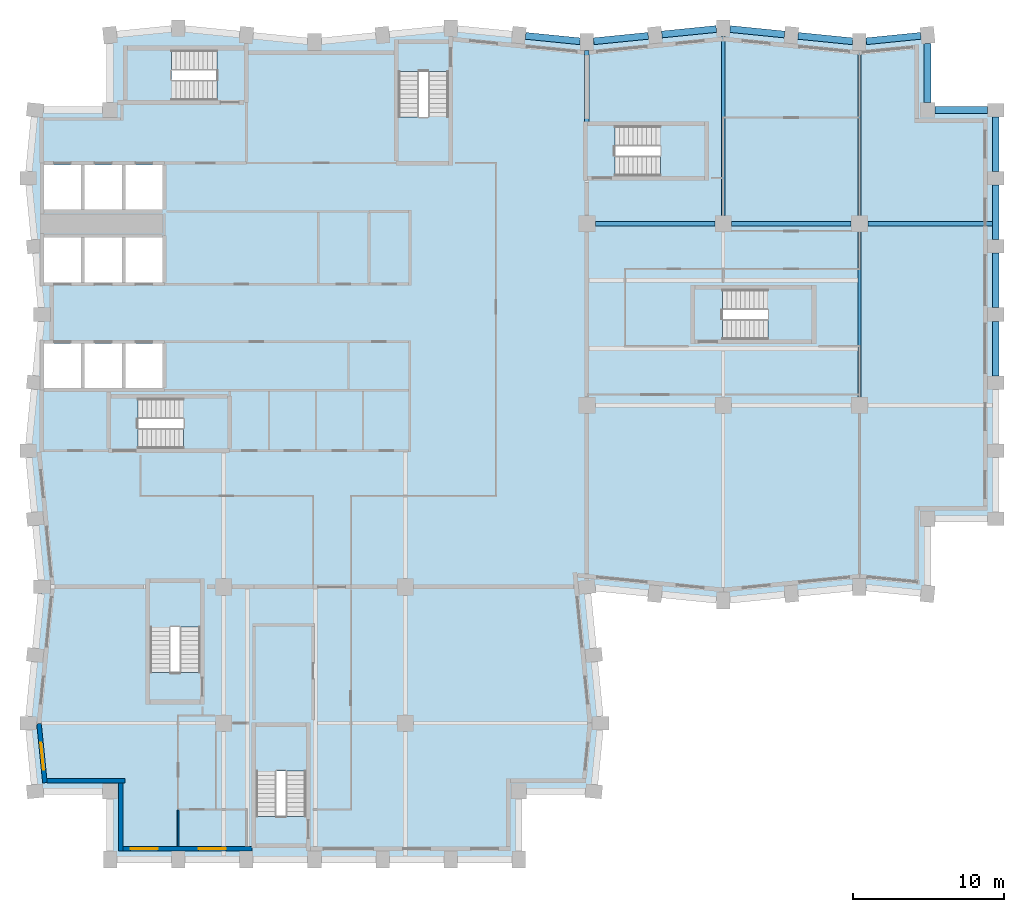
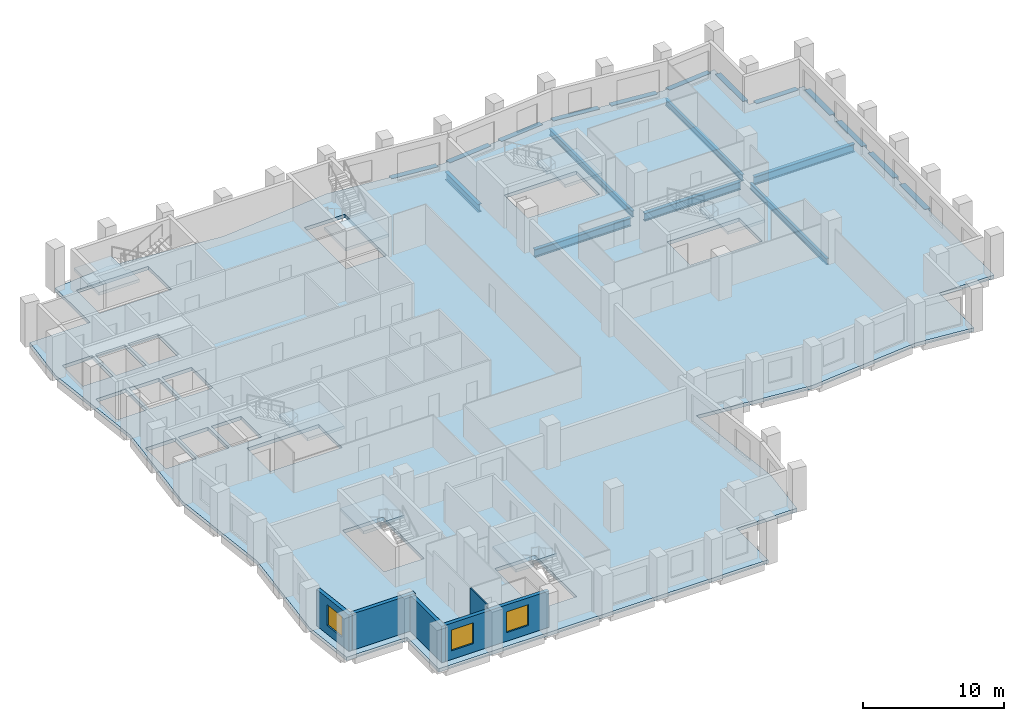
# One storey, part 2 of 10: 19 beams, 8 slabs, 5 walls, 3 windows, 3 openings, 7 elements without a shape of their own.
"""IFC4 building model written with IfcOpenShell, lengths in metres."""

from ifc_helpers import new_model, si_unit, direction, frame, frame_2d, origin, origin_2d, place, context, subcontext, project, spatial, polyline, rectangle, i_section, outline, extrude, material, layer, layer_set, material_profile, profile_set, type_object, element, fill, aggregate, save


model = new_model("IFC4")

# Units and contexts
model_context = context("Model", 3, precision=1e-05, world=origin(), true_north=direction((0.0, 1.0)))
body_context = subcontext(model_context, "Body", "Model", "MODEL_VIEW")
ifc_project = project(units=[si_unit("LENGTHUNIT", "METRE"), si_unit("AREAUNIT", "SQUARE_METRE"), si_unit("VOLUMEUNIT", "CUBIC_METRE"), si_unit("PLANEANGLEUNIT", "RADIAN"), si_unit("MASSUNIT", "GRAM", prefix="KILO")], contexts=[model_context])

# Site, building, storey
site_placement = place(None, origin())
site = spatial("IfcSite", under=ifc_project, at=site_placement, CompositionType="ELEMENT")
building_placement = place(site_placement, origin())
building = spatial("IfcBuilding", under=site, at=building_placement, Name="Brondeck Convention Tower", CompositionType="ELEMENT")
storey_placement = place(building_placement, frame((0.0, 0.0, 177.60009765625)))
storey = spatial("IfcBuildingStorey", under=building, at=storey_placement, Name="L43", CompositionType="ELEMENT", Elevation=177.60009765625)

# Beams
ifc_material_1 = material(Name="Steel S355", Category="steel")
ifc_material_profile_1 = material_profile(ifc_material_1, i_section(OverallWidth=0.2099609375, OverallDepth=0.550048828125, WebThickness=0.010986328125, FlangeThickness=0.01708984375, FilletRadius=0.02392578125, at=origin_2d()), Name="IPE 550")
ifc_profile_set_1 = profile_set([ifc_material_profile_1], Name="Steel S355")
beam_type_1 = type_object("IfcBeamType", Name="Floor beam IPE 550", PredefinedType="BEAM", material=ifc_profile_set_1)
beam_1_placement = place(storey_placement, frame((45.0, 51.550048828125, -0.5751953125), z_axis=(0.0, 1.0, 0.0), x_axis=(-1.0, 0.0, 0.0)))
element("IfcBeam", 1, at=beam_1_placement, inside=storey, type_object=beam_type_1, Name="STR-FB-L43-002", PredefinedType="BEAM", context=body_context, shape_type="SweptSolid", body=[
    extrude(i_section(OverallWidth=0.2099609375, OverallDepth=0.550048828125, WebThickness=0.010986328125, FlangeThickness=0.01708984375, FilletRadius=0.02392578125, at=origin_2d()), origin(), (0.0, 0.0, 1.0), 11.800048828125),
])
for number, where, z_axis, x_axis, name in (
    (2, (54.0, 39.550048828125, -0.5751953125), (0.0, 1.0, 0.0), (-1.0, 0.0, 0.0), "STR-FB-L43-004"),
    (3, (54.0, 51.550048828125, -0.5751953125), (0.0, 1.0, 0.0), (-1.0, 0.0, 0.0), "STR-FB-L43-005"),
):
    element("IfcBeam", number, at=place(storey_placement, frame(where, z_axis=z_axis, x_axis=x_axis)), inside=storey, type_object=beam_type_1, Name=name, PredefinedType="BEAM", context=body_context, shape_type="SweptSolid", body=[
        extrude(i_section(OverallWidth=0.2099609375, OverallDepth=0.550048828125, WebThickness=0.010986328125, FlangeThickness=0.01708984375, FilletRadius=0.02392578125, at=origin_2d()), origin(), (0.0, 0.0, 1.0), 10.89990234375),
    ])
ifc_material_profile_2 = material_profile(ifc_material_1, i_section(OverallWidth=0.300048828125, OverallDepth=0.699951171875, WebThickness=0.01708984375, FlangeThickness=0.031982421875, FilletRadius=0.027099609375, at=origin_2d()), Name="HEB 700")
ifc_profile_set_2 = profile_set([ifc_material_profile_2], Name="Steel S355")
beam_type_2 = type_object("IfcBeamType", Name="Girder HEB 700", PredefinedType="BEAM", material=ifc_profile_set_2)
for number, where, z_axis, x_axis, name in (
    (4, (36.550048828125, 51.0, -0.650146484375), (1.0, 0.0, 0.0), (0.0, 1.0, 0.0), "STR-GR-L43-004"),
    (5, (45.550048828125, 51.0, -0.650146484375), (1.0, 0.0, 0.0), (0.0, 1.0, 0.0), "STR-GR-L43-005"),
):
    element("IfcBeam", number, at=place(storey_placement, frame(where, z_axis=z_axis, x_axis=x_axis)), inside=storey, type_object=beam_type_2, Name=name, PredefinedType="BEAM", context=body_context, shape_type="SweptSolid", body=[
        extrude(i_section(OverallWidth=0.300048828125, OverallDepth=0.699951171875, WebThickness=0.01708984375, FlangeThickness=0.031982421875, FilletRadius=0.027099609375, at=origin_2d()), origin(), (0.0, 0.0, 1.0), 7.89990234375),
    ])
beam_2_placement = place(storey_placement, frame((54.550048828125, 51.0, -0.650146484375), z_axis=(1.0, 0.0, 0.0), x_axis=(0.0, 1.0, 0.0)))
element("IfcBeam", 6, at=beam_2_placement, inside=storey, type_object=beam_type_2, Name="STR-GR-L43-006", PredefinedType="BEAM", context=body_context, shape_type="SweptSolid", body=[
    extrude(i_section(OverallWidth=0.300048828125, OverallDepth=0.699951171875, WebThickness=0.01708984375, FlangeThickness=0.031982421875, FilletRadius=0.027099609375, at=origin_2d()), origin(), (0.0, 0.0, 1.0), 8.224853515625),
])
beam_3_placement = place(storey_placement, frame((36.0, 57.719970703125, -0.650146484375), z_axis=(0.0, 1.0, 0.0), x_axis=(-1.0, 0.0, 0.0)))
element("IfcBeam", 7, at=beam_3_placement, inside=storey, type_object=beam_type_2, Name="STR-GR-L43-010", PredefinedType="BEAM", context=body_context, shape_type="SweptSolid", body=[
    extrude(i_section(OverallWidth=0.300048828125, OverallDepth=0.699951171875, WebThickness=0.01708984375, FlangeThickness=0.031982421875, FilletRadius=0.027099609375, at=origin_2d()), origin(), (0.0, 0.0, 1.0), 4.72998046875),
])
ifc_material_2 = material(Name="Concrete C70/85", Category="concrete")
ifc_material_profile_3 = material_profile(ifc_material_2, rectangle(XDim=0.449951171875, YDim=0.64990234375, at=origin_2d()), Name="Precast spandrel 450x650 Concrete C70/85")
ifc_profile_set_3 = profile_set([ifc_material_profile_3], Name="Concrete C70/85")
beam_type_3 = type_object("IfcBeamType", Name="Precast spandrel 450x650 Concrete C70/85", PredefinedType="SPANDREL", material=ifc_profile_set_3)
for number, where, z_axis, x_axis, name in (
    (8, (63.0, 40.949951171875, -0.3251953125), (0.0, 1.0, 0.0), (-1.0, 0.0, 0.0), "STR-SP-L43-021"),
    (9, (63.0, 45.449951171875, -0.3251953125), (0.0, 1.0, 0.0), (-1.0, 0.0, 0.0), "STR-SP-L43-022"),
    (10, (63.0, 49.949951171875, -0.3251953125), (0.0, 1.0, 0.0), (-1.0, 0.0, 0.0), "STR-SP-L43-023"),
    (11, (63.0, 54.449951171875, -0.3251953125), (0.0, 1.0, 0.0), (-1.0, 0.0, 0.0), "STR-SP-L43-024"),
):
    element("IfcBeam", number, at=place(storey_placement, frame(where, z_axis=z_axis, x_axis=x_axis)), inside=storey, type_object=beam_type_3, Name=name, PredefinedType="SPANDREL", context=body_context, shape_type="SweptSolid", body=[
        extrude(rectangle(XDim=0.449951171875, YDim=0.64990234375, at=origin_2d()), origin(), (0.0, 0.0, 1.0), 3.60009765625),
    ])
beam_4_placement = place(storey_placement, frame((62.449951171875, 58.5, -0.3251953125), z_axis=(-1.0, 0.0, 0.0), x_axis=(0.0, -1.0, 0.0)))
element("IfcBeam", 12, at=beam_4_placement, inside=storey, type_object=beam_type_3, Name="STR-SP-L43-025", PredefinedType="SPANDREL", context=body_context, shape_type="SweptSolid", body=[
    extrude(rectangle(XDim=0.449951171875, YDim=0.64990234375, at=origin_2d()), origin(), (0.0, 0.0, 1.0), 3.449951171875),
])
beam_5_placement = place(storey_placement, frame((58.5, 59.0, -0.3251953125), z_axis=(0.0, 1.0, 0.0), x_axis=(-1.0, 0.0, 0.0)))
element("IfcBeam", 13, at=beam_5_placement, inside=storey, type_object=beam_type_3, Name="STR-SP-L43-026", PredefinedType="SPANDREL", context=body_context, shape_type="SweptSolid", body=[
    extrude(rectangle(XDim=0.449951171875, YDim=0.64990234375, at=origin_2d()), origin(), (0.0, 0.0, 1.0), 3.897216796875),
])
for number, where, z_axis, x_axis, name in (
    (14, (58.05224609375, 63.4052734375, -0.3251953125), (-0.995033851182, -0.099537103649, 0.0), (0.099537103649, -0.995033851182, 0.0), "STR-SP-L43-027"),
    (15, (53.550048828125, 63.044921875, -0.3251953125), (-0.995033851182, 0.099537103649, 0.0), (-0.099537103649, -0.995033851182, 0.0), "STR-SP-L43-028"),
    (16, (49.05224609375, 63.494873046875, -0.3251953125), (-0.995040528141, 0.099470334057, 0.0), (-0.099470334057, -0.995040528141, 0.0), "STR-SP-L43-029"),
    (17, (44.550048828125, 63.85498046875, -0.3251953125), (-0.995040528141, -0.099470334057, 0.0), (0.099470334057, -0.995040528141, 0.0), "STR-SP-L43-030"),
    (18, (40.05224609375, 63.4052734375, -0.3251953125), (-0.995033851182, -0.099537103649, 0.0), (0.099537103649, -0.995033851182, 0.0), "STR-SP-L43-031"),
    (19, (35.550048828125, 63.044921875, -0.3251953125), (-0.995033851182, 0.099537103649, 0.0), (-0.099537103649, -0.995033851182, 0.0), "STR-SP-L43-032"),
):
    element("IfcBeam", number, at=place(storey_placement, frame(where, z_axis=z_axis, x_axis=x_axis)), inside=storey, type_object=beam_type_3, Name=name, PredefinedType="SPANDREL", context=body_context, shape_type="SweptSolid", body=[
        extrude(rectangle(XDim=0.449951171875, YDim=0.64990234375, at=origin_2d()), origin(), (0.0, 0.0, 1.0), 3.620361328125),
    ])

# Slab
ifc_material_3 = material(Name="Concrete C35/45", Category="concrete")
ifc_layer_1 = layer(ifc_material_3, 0.300048828125)
ifc_layer_set_1 = layer_set([ifc_layer_1], Name="Composite floor slab 300")
slab_type_1 = type_object("IfcSlabType", Name="Composite floor slab 300", PredefinedType="FLOOR", material=ifc_layer_set_1)
slab_1_placement = place(storey_placement, frame((0.0, 0.0, -0.300048828125)))
element("IfcSlab", 20, at=slab_1_placement, inside=storey, type_object=slab_type_1, Name="STR-SL-L43", PredefinedType="FLOOR", context=body_context, shape_type="SweptSolid", body=[
    extrude(outline(polyline([(4.5, 13.5), (-0.449951171875, 13.5), (-0.89990234375, 18.0), (0.0, 27.0), (-0.89990234375, 36.0), (0.0, 45.0), (-0.89990234375, 54.0), (-0.449951171875, 58.5), (4.5, 58.5), (4.5, 63.449951171875), (9.0, 63.89990234375), (18.0, 63.0), (27.0, 63.89990234375), (36.0, 63.0), (45.0, 63.89990234375), (54.0, 63.0), (58.5, 63.449951171875), (58.5, 58.5), (63.0, 58.5), (63.0, 31.5), (58.5, 31.5), (58.5, 26.550048828125), (54.0, 27.0), (45.0, 26.10009765625), (36.0, 27.0), (36.89990234375, 18.0), (36.449951171875, 13.5), (31.5, 13.5), (31.5, 9.0), (4.5, 9.0), (4.5, 13.5)]), holes=[polyline([(2.574951171875, 40.125), (2.574951171875, 43.074951171875), (0.125, 43.074951171875), (0.125, 40.125), (2.574951171875, 40.125)]), polyline([(5.27490234375, 40.125), (5.27490234375, 43.074951171875), (2.824951171875, 43.074951171875), (2.824951171875, 40.125), (5.27490234375, 40.125)]), polyline([(7.97509765625, 40.125), (7.97509765625, 43.074951171875), (5.52490234375, 43.074951171875), (5.52490234375, 40.125), (7.97509765625, 40.125)]), polyline([(2.574951171875, 47.125), (2.574951171875, 50.074951171875), (0.125, 50.074951171875), (0.125, 47.125), (2.574951171875, 47.125)]), polyline([(5.27490234375, 47.125), (5.27490234375, 50.074951171875), (2.824951171875, 50.074951171875), (2.824951171875, 47.125), (5.27490234375, 47.125)]), polyline([(7.97509765625, 47.125), (7.97509765625, 50.074951171875), (5.52490234375, 50.074951171875), (5.52490234375, 47.125), (7.97509765625, 47.125)]), polyline([(2.574951171875, 51.925048828125), (2.574951171875, 54.875), (0.125, 54.875), (0.125, 51.925048828125), (2.574951171875, 51.925048828125)]), polyline([(5.27490234375, 51.925048828125), (5.27490234375, 54.875), (2.824951171875, 54.875), (2.824951171875, 51.925048828125), (5.27490234375, 51.925048828125)]), polyline([(17.447998046875, 17.748046875), (14.152099609375, 17.748046875), (14.152099609375, 11.85205078125), (17.447998046875, 11.85205078125), (17.447998046875, 17.748046875)]), polyline([(10.447998046875, 27.248046875), (7.152099609375, 27.248046875), (7.152099609375, 21.35205078125), (10.447998046875, 21.35205078125), (10.447998046875, 27.248046875)]), polyline([(12.248046875, 36.152099609375), (12.248046875, 39.447998046875), (6.35205078125, 39.447998046875), (6.35205078125, 36.152099609375), (12.248046875, 36.152099609375)]), polyline([(50.847900390625, 43.35205078125), (50.847900390625, 46.64794921875), (44.951904296875, 46.64794921875), (44.951904296875, 43.35205078125), (50.847900390625, 43.35205078125)]), polyline([(7.97509765625, 51.925048828125), (7.97509765625, 54.875), (5.52490234375, 54.875), (5.52490234375, 51.925048828125), (7.97509765625, 51.925048828125)]), polyline([(43.748046875, 54.152099609375), (43.748046875, 57.447998046875), (37.85205078125, 57.447998046875), (37.85205078125, 54.152099609375), (43.748046875, 54.152099609375)]), polyline([(23.552001953125, 55.152099609375), (26.847900390625, 55.152099609375), (26.847900390625, 61.048095703125), (23.552001953125, 61.048095703125), (23.552001953125, 55.152099609375)]), polyline([(5.652099609375, 62.447998046875), (5.652099609375, 59.152099609375), (11.548095703125, 59.152099609375), (11.548095703125, 62.447998046875), (5.652099609375, 62.447998046875)])]), origin(), (0.0, 0.0, 1.0), 0.300048828125),
])

# Stair, slab
ifc_material_4 = material(Name="Precast concrete C50/60", Category="concrete")
stair_type = type_object("IfcStairType", Name="Core stair 22 risers 172.73 mm riser 300 mm going 1350 wide", PredefinedType="HALF_TURN_STAIR", material=ifc_material_4)
stair_1_placement = place(storey_placement, origin())
stair_1 = element("IfcStair", 21, at=stair_1_placement, inside=storey, type_object=stair_type, Name="ST-1 L43 stair", PredefinedType="HALF_TURN_STAIR")
ifc_layer_2 = layer(ifc_material_4, 0.25)
ifc_layer_set_2 = layer_set([ifc_layer_2], Name="Core stair landing 250 Precast concrete C50/60")
slab_type_2 = type_object("IfcSlabType", Name="Core stair landing 250 Precast concrete C50/60", PredefinedType="LANDING", material=ifc_layer_set_2)
slab_2_placement = place(storey_placement, frame((0.0, 0.0, 1.64990234375)))
slab_2 = element("IfcSlab", 22, at=slab_2_placement, type_object=slab_type_2, Name="ST-1 landing 1", PredefinedType="LANDING", context=body_context, shape_type="SweptSolid", body=[
    extrude(outline(polyline([(9.347900390625, 37.5), (9.35009765625, 37.5), (9.35009765625, 38.10009765625), (9.050048828125, 38.10009765625), (9.050048828125, 39.570068359375), (12.3701171875, 39.570068359375), (12.3701171875, 36.030029296875), (9.347900390625, 36.030029296875), (9.347900390625, 37.5)])), origin(), (0.0, 0.0, 1.0), 0.25),
])
aggregate(stair_1, [slab_2])

stair_2_placement = place(storey_placement, origin())
stair_2 = element("IfcStair", 23, at=stair_2_placement, inside=storey, type_object=stair_type, Name="ST-2 L43 stair", PredefinedType="HALF_TURN_STAIR")
slab_3_placement = place(storey_placement, frame((0.0, 0.0, 1.64990234375)))
slab_3 = element("IfcSlab", 24, at=slab_3_placement, type_object=slab_type_2, Name="ST-2 landing 1", PredefinedType="LANDING", context=body_context, shape_type="SweptSolid", body=[
    extrude(outline(polyline([(23.429931640625, 58.052001953125), (24.89990234375, 58.052001953125), (24.89990234375, 58.050048828125), (25.5, 58.050048828125), (25.5, 58.35009765625), (26.969970703125, 58.35009765625), (26.969970703125, 55.030029296875), (23.429931640625, 55.030029296875), (23.429931640625, 58.052001953125)])), origin(), (0.0, 0.0, 1.0), 0.25),
])
aggregate(stair_2, [slab_3])

stair_3_placement = place(storey_placement, origin())
stair_3 = element("IfcStair", 25, at=stair_3_placement, inside=storey, type_object=stair_type, Name="ST-3 L43 stair", PredefinedType="HALF_TURN_STAIR")
slab_4_placement = place(storey_placement, frame((0.0, 0.0, 1.64990234375)))
slab_4 = element("IfcSlab", 26, at=slab_4_placement, type_object=slab_type_2, Name="ST-3 landing 1", PredefinedType="LANDING", context=body_context, shape_type="SweptSolid", body=[
    extrude(outline(polyline([(8.85009765625, 60.5), (8.85009765625, 59.030029296875), (5.530029296875, 59.030029296875), (5.530029296875, 62.570068359375), (8.552001953125, 62.570068359375), (8.552001953125, 61.10009765625), (8.550048828125, 61.10009765625), (8.550048828125, 60.5), (8.85009765625, 60.5)])), origin(), (0.0, 0.0, 1.0), 0.25),
])
aggregate(stair_3, [slab_4])

stair_4_placement = place(storey_placement, origin())
stair_4 = element("IfcStair", 27, at=stair_4_placement, inside=storey, type_object=stair_type, Name="ST-AE L43 stair", PredefinedType="HALF_TURN_STAIR")
slab_5_placement = place(storey_placement, frame((0.0, 0.0, 1.64990234375)))
slab_5 = element("IfcSlab", 28, at=slab_5_placement, type_object=slab_type_2, Name="ST-AE landing 1", PredefinedType="LANDING", context=body_context, shape_type="SweptSolid", body=[
    extrude(outline(polyline([(40.847900390625, 55.5), (40.85009765625, 55.5), (40.85009765625, 56.10009765625), (40.550048828125, 56.10009765625), (40.550048828125, 57.570068359375), (43.8701171875, 57.570068359375), (43.8701171875, 54.030029296875), (40.847900390625, 54.030029296875), (40.847900390625, 55.5)])), origin(), (0.0, 0.0, 1.0), 0.25),
])
aggregate(stair_4, [slab_5])

stair_5_placement = place(storey_placement, origin())
stair_5 = element("IfcStair", 29, at=stair_5_placement, inside=storey, type_object=stair_type, Name="ST-BE L43 stair", PredefinedType="HALF_TURN_STAIR")
slab_6_placement = place(storey_placement, frame((0.0, 0.0, 1.64990234375)))
slab_6 = element("IfcSlab", 30, at=slab_6_placement, type_object=slab_type_2, Name="ST-BE landing 1", PredefinedType="LANDING", context=body_context, shape_type="SweptSolid", body=[
    extrude(outline(polyline([(7.030029296875, 24.050048828125), (7.030029296875, 27.3701171875), (10.570068359375, 27.3701171875), (10.570068359375, 24.347900390625), (9.10009765625, 24.347900390625), (9.10009765625, 24.35009765625), (8.5, 24.35009765625), (8.5, 24.050048828125), (7.030029296875, 24.050048828125)])), origin(), (0.0, 0.0, 1.0), 0.25),
])
aggregate(stair_5, [slab_6])

stair_6_placement = place(storey_placement, origin())
stair_6 = element("IfcStair", 31, at=stair_6_placement, inside=storey, type_object=stair_type, Name="ST-AF L43 stair", PredefinedType="HALF_TURN_STAIR")
slab_7_placement = place(storey_placement, frame((0.0, 0.0, 1.64990234375)))
slab_7 = element("IfcSlab", 32, at=slab_7_placement, type_object=slab_type_2, Name="ST-AF landing 1", PredefinedType="LANDING", context=body_context, shape_type="SweptSolid", body=[
    extrude(outline(polyline([(47.947998046875, 44.699951171875), (47.949951171875, 44.699951171875), (47.949951171875, 45.300048828125), (47.64990234375, 45.300048828125), (47.64990234375, 46.77001953125), (50.969970703125, 46.77001953125), (50.969970703125, 43.22998046875), (47.947998046875, 43.22998046875), (47.947998046875, 44.699951171875)])), origin(), (0.0, 0.0, 1.0), 0.25),
])
aggregate(stair_6, [slab_7])

stair_7_placement = place(storey_placement, origin())
stair_7 = element("IfcStair", 33, at=stair_7_placement, inside=storey, type_object=stair_type, Name="ST-BF L43 stair", PredefinedType="HALF_TURN_STAIR")
slab_8_placement = place(storey_placement, frame((0.0, 0.0, 1.64990234375)))
slab_8 = element("IfcSlab", 34, at=slab_8_placement, type_object=slab_type_2, Name="ST-BF landing 1", PredefinedType="LANDING", context=body_context, shape_type="SweptSolid", body=[
    extrude(outline(polyline([(14.030029296875, 14.550048828125), (14.030029296875, 17.8701171875), (17.570068359375, 17.8701171875), (17.570068359375, 14.847900390625), (16.10009765625, 14.847900390625), (16.10009765625, 14.85009765625), (15.5, 14.85009765625), (15.5, 14.550048828125), (14.030029296875, 14.550048828125)])), origin(), (0.0, 0.0, 1.0), 0.25),
])
aggregate(stair_7, [slab_8])

# Wall, openings, windows
ifc_material_5 = material(Name="Precast concrete C50/60 bronze finish", Category="concrete")
ifc_layer_3 = layer(ifc_material_5, 0.070068359375, Name="Bronze precast facing")
ifc_material_6 = material(Name="Mineral wool")
ifc_layer_4 = layer(ifc_material_6, 0.159912109375, Name="Insulation")
ifc_layer_5 = layer(ifc_material_3, 0.070068359375, Name="Backing")
ifc_layer_set_3 = layer_set([ifc_layer_3, ifc_layer_4, ifc_layer_5], Name="External infill wall, precast concrete C50/60 bronze facing")
wall_type_1 = type_object("IfcWallType", Name="External infill wall, precast concrete C50/60 bronze facing", PredefinedType="SOLIDWALL", material=ifc_layer_set_3)
wall_1_placement = place(storey_placement, frame((13.860107421875, 9.699951171875, 0.0), z_axis=(0.0, 0.0, 1.0), x_axis=(-1.0, 0.0, 0.0)))
wall_1 = element("IfcWall", 35, at=wall_1_placement, inside=storey, type_object=wall_type_1, Name="ENV-EW-L43-P1-B-S9-01", PredefinedType="SOLIDWALL", context=body_context, shape_type="SweptSolid", body=[
    extrude(rectangle(XDim=8.510009765625, YDim=0.300048828125, at=frame_2d((4.2548828125, 0.0))), origin(), (0.0, 0.0, 1.0), 3.14990234375),
])
opening_1_placement = place(wall_1_placement, frame((1.7099609375, 0.0, 0.75)))
opening_1 = element("IfcOpeningElement", 36, at=opening_1_placement, cuts=wall_1, Name="Opening W10", PredefinedType="OPENING", context=body_context, shape_type="SweptSolid", body=[
    extrude(rectangle(XDim=1.800048828125, YDim=1.800048828125, at=frame_2d((0.89990234375, 0.89990234375))), frame((0.0, 0.159912109375, 0.0), z_axis=(0.0, -1.0, 0.0), x_axis=(1.0, 0.0, 0.0)), (0.0, 0.0, 1.0), 0.320068359375),
])
opening_2_placement = place(wall_1_placement, frame((6.2099609375, 0.0, 0.75)))
opening_2 = element("IfcOpeningElement", 37, at=opening_2_placement, cuts=wall_1, Name="Opening W10", PredefinedType="OPENING", context=body_context, shape_type="SweptSolid", body=[
    extrude(rectangle(XDim=1.800048828125, YDim=1.800048828125, at=frame_2d((0.89990234375, 0.89990234375))), frame((0.0, 0.159912109375, 0.0), z_axis=(0.0, -1.0, 0.0), x_axis=(1.0, 0.0, 0.0)), (0.0, 0.0, 1.0), 0.320068359375),
])
ifc_material_7 = material(Name="Bronze tinted double glazing", Category="glass")
window_type = type_object("IfcWindowType", Name="Punched window, bronze tinted", PartitioningType="SINGLE_PANEL", PredefinedType="WINDOW", material=ifc_material_7)
window_1_placement = place(opening_1_placement, origin())
window_1 = element("IfcWindow", 38, at=window_1_placement, inside=storey, type_object=window_type, Name="ENV-WN-L43-P1-B-S9-02", OverallHeight=1.800048828125, OverallWidth=1.800048828125, PartitioningType="SINGLE_PANEL", PredefinedType="WINDOW", context=body_context, shape_type="SweptSolid", body=[
    extrude(rectangle(XDim=1.800048828125, YDim=1.800048828125, at=frame_2d((0.89990234375, 0.89990234375))), frame((0.0, 0.030029296875, 0.0), z_axis=(0.0, -1.0, 0.0), x_axis=(1.0, 0.0, 0.0)), (0.0, 0.0, 1.0), 0.06005859375),
])
fill(opening_1, window_1)
window_2_placement = place(opening_2_placement, origin())
window_2 = element("IfcWindow", 39, at=window_2_placement, inside=storey, type_object=window_type, Name="ENV-WN-L43-P1-B-S9-01", OverallHeight=1.800048828125, OverallWidth=1.800048828125, PartitioningType="SINGLE_PANEL", PredefinedType="WINDOW", context=body_context, shape_type="SweptSolid", body=[
    extrude(rectangle(XDim=1.800048828125, YDim=1.800048828125, at=frame_2d((0.89990234375, 0.89990234375))), frame((0.0, 0.030029296875, 0.0), z_axis=(0.0, -1.0, 0.0), x_axis=(1.0, 0.0, 0.0)), (0.0, 0.0, 1.0), 0.06005859375),
])
fill(opening_2, window_2)

# Wall, opening, window
wall_2_placement = place(storey_placement, frame((0.197021484375, 14.06494140625, 0.0), z_axis=(0.0, 0.0, 1.0), x_axis=(-0.099528354722, 0.995034726332, 0.0)))
wall_2 = element("IfcWall", 40, at=wall_2_placement, inside=storey, type_object=wall_type_1, Name="ENV-EW-L43-P1-B-W-10", PredefinedType="SOLIDWALL", context=body_context, shape_type="SweptSolid", body=[
    extrude(rectangle(XDim=3.9248046875, YDim=0.300048828125, at=frame_2d((1.96240234375, 0.0))), origin(), (0.0, 0.0, 1.0), 3.14990234375),
])
opening_3_placement = place(wall_2_placement, frame((0.863525390625, 0.0, 0.75)))
opening_3 = element("IfcOpeningElement", 41, at=opening_3_placement, cuts=wall_2, Name="Opening W10", PredefinedType="OPENING", context=body_context, shape_type="SweptSolid", body=[
    extrude(rectangle(XDim=1.800048828125, YDim=1.800048828125, at=frame_2d((0.89990234375, 0.89990234375))), frame((0.0, 0.159912109375, 0.0), z_axis=(0.0, -1.0, 0.0), x_axis=(1.0, 0.0, 0.0)), (0.0, 0.0, 1.0), 0.320068359375),
])
window_3_placement = place(opening_3_placement, origin())
window_3 = element("IfcWindow", 42, at=window_3_placement, inside=storey, type_object=window_type, Name="ENV-WN-L43-P1-B-W-10", OverallHeight=1.800048828125, OverallWidth=1.800048828125, PartitioningType="SINGLE_PANEL", PredefinedType="WINDOW", context=body_context, shape_type="SweptSolid", body=[
    extrude(rectangle(XDim=1.800048828125, YDim=1.800048828125, at=frame_2d((0.89990234375, 0.89990234375))), frame((0.0, 0.030029296875, 0.0), z_axis=(0.0, -1.0, 0.0), x_axis=(1.0, 0.0, 0.0)), (0.0, 0.0, 1.0), 0.06005859375),
])
fill(opening_3, window_3)

# Walls
wall_3_placement = place(storey_placement, frame((5.5, 14.199951171875, 0.0), z_axis=(0.0, 0.0, 1.0), x_axis=(-1.0, 0.0, 0.0)))
element("IfcWall", 43, at=wall_3_placement, inside=storey, type_object=wall_type_1, Name="ENV-EW-L43-P1-NC-SWB9-01", PredefinedType="SOLIDWALL", context=body_context, shape_type="SweptSolid", body=[
    extrude(rectangle(XDim=5.16455078125, YDim=0.300048828125, at=frame_2d((2.582275390625, 0.0))), origin(), (0.0, 0.0, 1.0), 3.14990234375),
])
wall_4_placement = place(storey_placement, frame((5.199951171875, 9.550048828125, 0.0), z_axis=(0.0, 0.0, 1.0), x_axis=(0.0, 1.0, 0.0)))
element("IfcWall", 44, at=wall_4_placement, inside=storey, type_object=wall_type_1, Name="ENV-EW-L43-P1-NC-SWB9-02", PredefinedType="SOLIDWALL", context=body_context, shape_type="SweptSolid", body=[
    extrude(rectangle(XDim=4.501953125, YDim=0.300048828125, at=frame_2d((2.2509765625, 0.0))), origin(), (0.0, 0.0, 1.0), 3.14990234375),
])
ifc_material_8 = material(Name="Gypsum board partition on steel studs", Category="steel")
ifc_layer_6 = layer(ifc_material_8, 0.10009765625)
ifc_layer_set_4 = layer_set([ifc_layer_6], Name="Room partition 100")
wall_type_2 = type_object("IfcWallType", Name="Room partition 100", PredefinedType="PARTITIONING", material=ifc_layer_set_4)
wall_5_placement = place(storey_placement, frame((9.0, 9.8701171875, 0.0), z_axis=(0.0, 0.0, 1.0), x_axis=(0.0, 1.0, 0.0)))
element("IfcWall", 45, at=wall_5_placement, inside=storey, type_object=wall_type_2, Name="FLR-L43-W001", PredefinedType="PARTITIONING", context=body_context, shape_type="SweptSolid", body=[
    extrude(rectangle(XDim=2.3798828125, YDim=0.10009765625, at=frame_2d((1.18994140625, 0.0))), origin(), (0.0, 0.0, 1.0), 3.47998046875),
])

save(model, "model.ifc")
